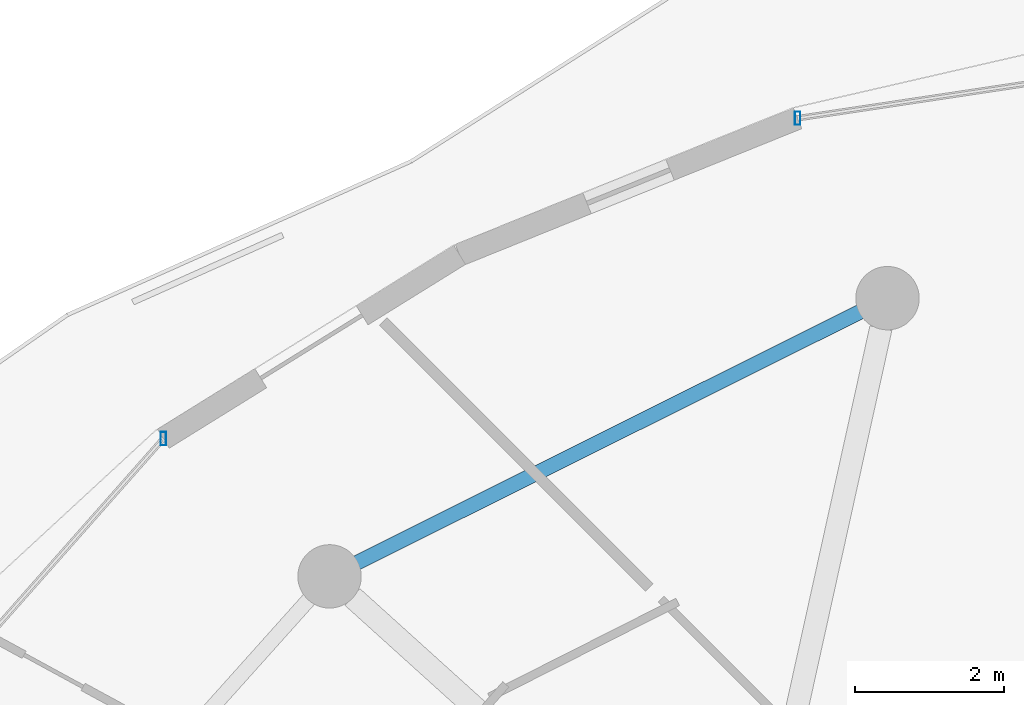
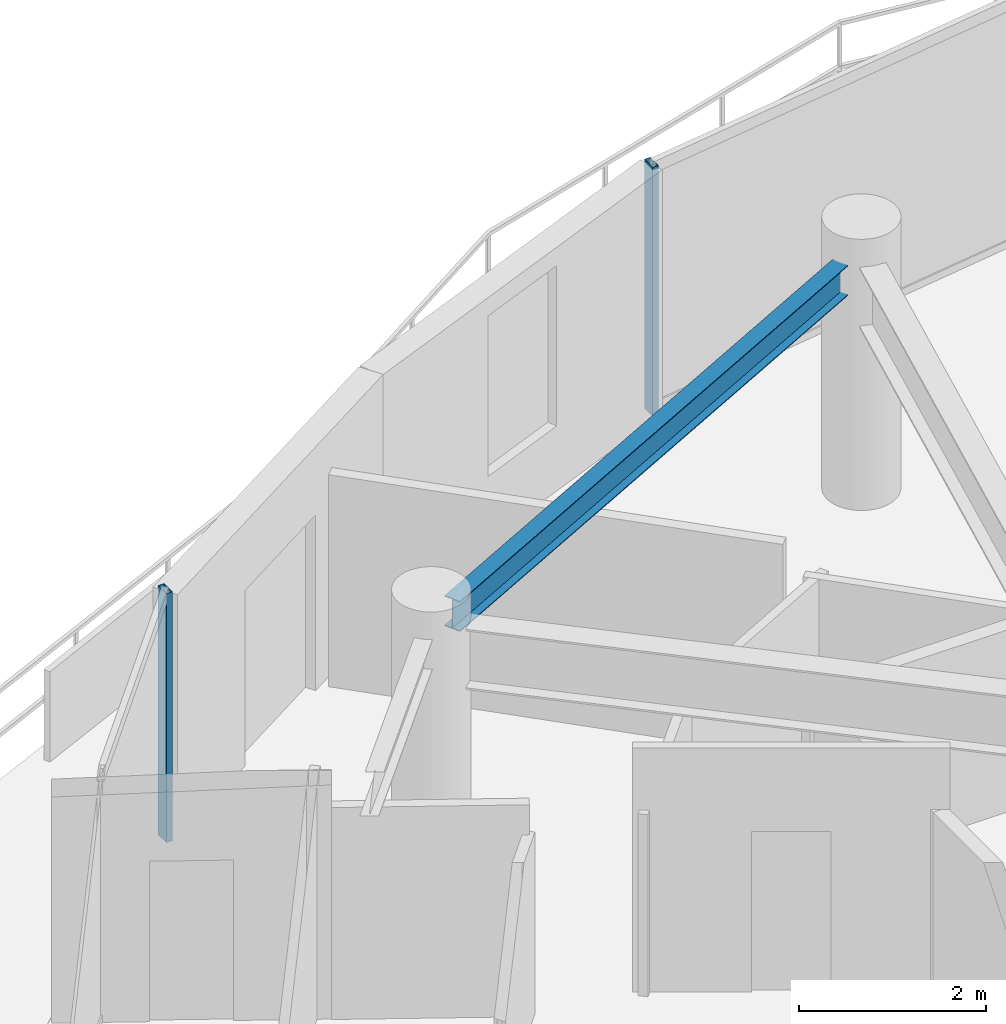
# One storey, part 12 of 25: 2 members, 1 beam, 2 elements without a shape of their own.
"""IFC4 building model written with IfcOpenShell, lengths in metres."""

from ifc_helpers import new_model, si_unit, direction, frame, origin, origin_2d, place, context, subcontext, project, spatial, hollow_rectangle, i_section, extrude, material, material_profile, profile_set, type_object, element, aggregate, save


model = new_model("IFC4")

# Units and contexts
model_context = context("Model", 3, precision=1e-05, world=origin(), true_north=direction((0.0, 1.0)))
body_context = subcontext(model_context, "Body", "Model", "MODEL_VIEW")
ifc_project = project(units=[si_unit("LENGTHUNIT", "METRE"), si_unit("AREAUNIT", "SQUARE_METRE"), si_unit("VOLUMEUNIT", "CUBIC_METRE"), si_unit("PLANEANGLEUNIT", "RADIAN"), si_unit("MASSUNIT", "GRAM", prefix="KILO")], contexts=[model_context])

# Site, building, storey
site_placement = place(None, origin())
site = spatial("IfcSite", under=ifc_project, at=site_placement, CompositionType="ELEMENT")
building_placement = place(site_placement, origin())
building = spatial("IfcBuilding", under=site, at=building_placement, Name="Vorneva Point Tower", CompositionType="ELEMENT")
storey_placement = place(building_placement, frame((0.0, 0.0, 276.85009765625)))
storey = spatial("IfcBuildingStorey", under=building, at=storey_placement, Name="L75", CompositionType="ELEMENT", Elevation=276.85009765625)

# Beam
ifc_material_1 = material(Name="Steel S355", Category="steel")
ifc_material_profile_1 = material_profile(ifc_material_1, i_section(OverallWidth=0.198974609375, OverallDepth=0.39599609375, WebThickness=0.007080078125, FlangeThickness=0.010986328125, at=origin_2d()), Name="40B1")
ifc_profile_set_1 = profile_set([ifc_material_profile_1], Name="Steel S355")
beam_type = type_object("IfcBeamType", Name="BM-SPN-40B1", PredefinedType="SPANDREL", material=ifc_profile_set_1)
beam_placement = place(storey_placement, frame((28.812255859375, 41.707763671875, 2.991943359375), z_axis=(-0.894932011528, -0.446202526599, 0.0), x_axis=(0.446202526599, -0.894932011528, 0.0)))
element("IfcBeam", 1, at=beam_placement, inside=storey, type_object=beam_type, Name="L75 Perimeter Spandrel Ring Beam 06", PredefinedType="SPANDREL", context=body_context, shape_type="SweptSolid", body=[
    extrude(i_section(OverallWidth=0.198974609375, OverallDepth=0.39599609375, WebThickness=0.007080078125, FlangeThickness=0.010986328125, at=origin_2d()), origin(), (0.0, 0.0, 1.0), 7.535888671875),
])

# Curtain wall, member
ifc_material_2 = material(Name="Pale anodised aluminium", Category="aluminium")
curtain_wall_type = type_object("IfcCurtainWallType", Name="CW-RES-SYS", PredefinedType="NOTDEFINED", material=ifc_material_2)
curtain_wall_1_placement = place(storey_placement, origin())
curtain_wall_1 = element("IfcCurtainWall", 2, at=curtain_wall_1_placement, inside=storey, type_object=curtain_wall_type, Name="L75 Unitised Curtain Wall CW-L75-R02", PredefinedType="NOTDEFINED")
ifc_material_profile_2 = material_profile(ifc_material_2, hollow_rectangle(XDim=0.074951171875, YDim=0.179931640625, WallThickness=0.00390625, at=origin_2d()), Name="AL-MUL 180x75x4")
ifc_profile_set_2 = profile_set([ifc_material_profile_2], Name="Pale anodised aluminium")
member_type = type_object("IfcMemberType", Name="CW-MUL-180", PredefinedType="MULLION", material=ifc_profile_set_2)
member_1_placement = place(storey_placement, frame((27.9736328125, 44.302001953125, -0.0400390625), z_axis=(0.0, 0.0, 1.0), x_axis=(1.0, 0.0, 0.0)))
member_1 = element("IfcMember", 3, at=member_1_placement, type_object=member_type, Name="CW-L75-R02 Mullion 04", PredefinedType="MULLION", context=body_context, shape_type="SweptSolid", body=[
    extrude(hollow_rectangle(XDim=0.074951171875, YDim=0.179931640625, WallThickness=0.00390625, at=origin_2d()), origin(), (0.0, 0.0, 1.0), 3.260009765625),
])
aggregate(curtain_wall_1, [member_1])

curtain_wall_2_placement = place(storey_placement, origin())
curtain_wall_2 = element("IfcCurtainWall", 4, at=curtain_wall_2_placement, inside=storey, type_object=curtain_wall_type, Name="L75 Unitised Curtain Wall CW-L75-R03", PredefinedType="NOTDEFINED")
member_2_placement = place(storey_placement, frame((19.473876953125, 40.0078125, -0.0400390625), z_axis=(0.0, 0.0, 1.0), x_axis=(1.0, 0.0, 0.0)))
member_2 = element("IfcMember", 5, at=member_2_placement, type_object=member_type, Name="CW-L75-R03 Mullion 01", PredefinedType="MULLION", context=body_context, shape_type="SweptSolid", body=[
    extrude(hollow_rectangle(XDim=0.074951171875, YDim=0.179931640625, WallThickness=0.00390625, at=origin_2d()), origin(), (0.0, 0.0, 1.0), 3.260009765625),
])
aggregate(curtain_wall_2, [member_2])

save(model, "model.ifc")
